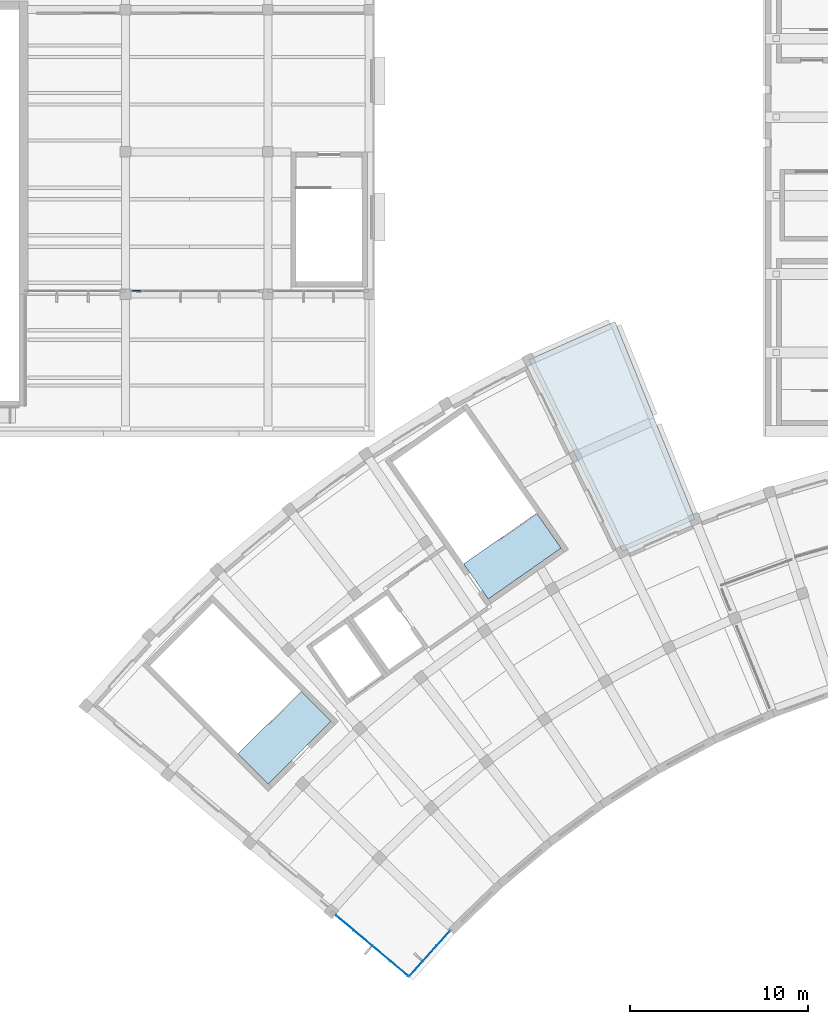
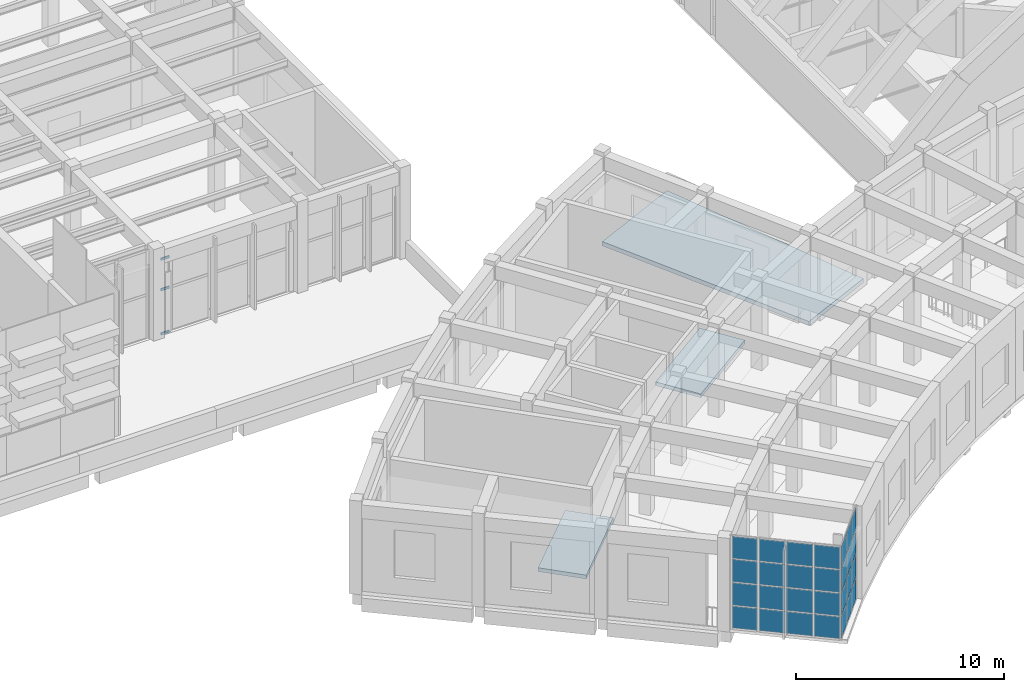
# One storey, part 51 of 94: 28 plates, 3 members, 3 slabs, 3 elements without a shape of their own.
"""IFC4 building model written with IfcOpenShell, lengths in metres."""

from ifc_helpers import new_model, si_unit, direction, frame, origin, origin_2d, place, context, subcontext, project, spatial, polyline, rectangle, outline, extrude, material, layer, layer_set, material_profile, profile_set, type_object, element, aggregate, save


model = new_model("IFC4")

# Units and contexts
model_context = context("Model", 3, precision=1e-05, world=origin(), true_north=direction((0.0, 1.0)))
body_context = subcontext(model_context, "Body", "Model", "MODEL_VIEW")
ifc_project = project(units=[si_unit("LENGTHUNIT", "METRE"), si_unit("AREAUNIT", "SQUARE_METRE"), si_unit("VOLUMEUNIT", "CUBIC_METRE"), si_unit("PLANEANGLEUNIT", "RADIAN"), si_unit("MASSUNIT", "GRAM", prefix="KILO")], contexts=[model_context])

# Site, building, storey
site_placement = place(None, origin())
site = spatial("IfcSite", under=ifc_project, at=site_placement, CompositionType="ELEMENT")
building_placement = place(site_placement, origin())
building = spatial("IfcBuilding", under=site, at=building_placement, Name="Lunette Opera House", CompositionType="ELEMENT")
storey_placement = place(building_placement, frame((0.0, 0.0, 22.5)))
storey = spatial("IfcBuildingStorey", under=building, at=storey_placement, Name="L04", CompositionType="ELEMENT", Elevation=22.5)

# Curtain wall, members
ifc_material_1 = material(Name="Aluminium", Category="aluminium")
ifc_layer_1 = layer(ifc_material_1, 0.179931640625)
ifc_layer_set_1 = layer_set([ifc_layer_1], Name="Aluminium")
curtain_wall_type_1 = type_object("IfcCurtainWallType", Name="SUN FACE CURTAIN WALL", PredefinedType="NOTDEFINED", material=ifc_layer_set_1)
curtain_wall_1_placement = place(storey_placement, origin())
curtain_wall_1 = element("IfcCurtainWall", 1, at=curtain_wall_1_placement, inside=storey, type_object=curtain_wall_type_1, Name="Sun Face Curtain Wall F01-2 L04", PredefinedType="NOTDEFINED")
ifc_material_2 = material(Name="Aluminium", Category="aluminium")
ifc_material_profile = material_profile(ifc_material_2, rectangle(XDim=0.06005859375, YDim=0.139892578125, at=origin_2d()), Name="TRANSOM 60 X 140")
ifc_profile_set = profile_set([ifc_material_profile], Name="Aluminium")
member_type = type_object("IfcMemberType", Name="TRANSOM 60 X 140", PredefinedType="USERDEFINED", material=ifc_profile_set)
member_1_placement = place(storey_placement, frame((40.389892578125, 72.18310546875, 0.030029296875), z_axis=(1.0, 0.0, 0.0), x_axis=(0.0, 1.0, 0.0)))
member_1 = element("IfcMember", 2, at=member_1_placement, type_object=member_type, Name="RW-X2058 transom 1.1", ObjectType="TRANSOM", PredefinedType="USERDEFINED", context=body_context, shape_type="SweptSolid", body=[
    extrude(rectangle(XDim=0.06005859375, YDim=0.139892578125, at=origin_2d()), origin(), (0.0, 0.0, 1.0), 0.460205078125),
])
member_2_placement = place(storey_placement, frame((40.389892578125, 72.18310546875, 2.625), z_axis=(1.0, 0.0, 0.0), x_axis=(0.0, 1.0, 0.0)))
member_2 = element("IfcMember", 3, at=member_2_placement, type_object=member_type, Name="RW-X2058 transom 1.2", ObjectType="TRANSOM", PredefinedType="USERDEFINED", context=body_context, shape_type="SweptSolid", body=[
    extrude(rectangle(XDim=0.06005859375, YDim=0.139892578125, at=origin_2d()), origin(), (0.0, 0.0, 1.0), 0.460205078125),
])
member_3_placement = place(storey_placement, frame((40.389892578125, 72.18310546875, 4.419921875), z_axis=(1.0, 0.0, 0.0), x_axis=(0.0, 1.0, 0.0)))
member_3 = element("IfcMember", 4, at=member_3_placement, type_object=member_type, Name="RW-X2058 transom 1.3", ObjectType="TRANSOM", PredefinedType="USERDEFINED", context=body_context, shape_type="SweptSolid", body=[
    extrude(rectangle(XDim=0.06005859375, YDim=0.139892578125, at=origin_2d()), origin(), (0.0, 0.0, 1.0), 0.460205078125),
])
aggregate(curtain_wall_1, [member_1, member_2, member_3])

# Slabs
ifc_material_3 = material(Name="Concrete C35/45", Category="concrete")
ifc_layer_2 = layer(ifc_material_3, 0.219970703125)
ifc_layer_set_2 = layer_set([ifc_layer_2], Name="Concrete C35/45")
slab_type_1 = type_object("IfcSlabType", Name="CORE LANDING SLAB 220", PredefinedType="LANDING", material=ifc_layer_set_2)
slab_1_placement = place(storey_placement, frame((0.0, 0.0, -0.219970703125)))
element("IfcSlab", 5, at=slab_1_placement, inside=storey, type_object=slab_type_1, Name="ST1 floor landing", PredefinedType="LANDING", context=body_context, shape_type="SweptSolid", body=[
    extrude(outline(polyline([(48.02294921875, 44.44091796875), (46.319091796875, 46.14501953125), (48.01611328125, 47.842041015625), (48.02294921875, 47.8349609375), (49.862060546875, 49.674072265625), (51.55908203125, 47.97705078125), (48.02294921875, 44.44091796875)])), origin(), (0.0, 0.0, 1.0), 0.219970703125),
])
slab_2_placement = place(storey_placement, frame((0.0, 0.0, -0.219970703125)))
element("IfcSlab", 6, at=slab_2_placement, inside=storey, type_object=slab_type_1, Name="ST2 floor landing", PredefinedType="LANDING", context=body_context, shape_type="SweptSolid", body=[
    extrude(outline(polyline([(60.39990234375, 54.85107421875), (59.01806640625, 56.824951171875), (60.98388671875, 58.200927734375), (60.989990234375, 58.193115234375), (63.1201171875, 59.68505859375), (64.4970703125, 57.718994140625), (60.39990234375, 54.85107421875)])), origin(), (0.0, 0.0, 1.0), 0.219970703125),
])

# Curtain wall, plates
ifc_material_4 = material(Name="Aluminium", Category="aluminium")
ifc_layer_3 = layer(ifc_material_4, 0.159912109375)
ifc_layer_set_3 = layer_set([ifc_layer_3], Name="Aluminium")
curtain_wall_type_2 = type_object("IfcCurtainWallType", Name="CORNER CURTAIN WALL", PredefinedType="NOTDEFINED", material=ifc_layer_set_3)
curtain_wall_2_placement = place(storey_placement, origin())
curtain_wall_2 = element("IfcCurtainWall", 7, at=curtain_wall_2_placement, inside=storey, type_object=curtain_wall_type_2, Name="Corner Curtain Wall GC-W1 L04", PredefinedType="NOTDEFINED")
ifc_material_5 = material(Name="Laminated glass", Category="glass")
ifc_layer_4 = layer(ifc_material_5, 0.028076171875)
ifc_layer_set_4 = layer_set([ifc_layer_4], Name="Laminated glass")
plate_type = type_object("IfcPlateType", Name="CURTAIN PANEL LAMINATED GLASS 28", PredefinedType="CURTAIN_PANEL", material=ifc_layer_set_4)
plate_1_placement = place(storey_placement, frame((57.874267578125, 35.777587890625, 0.06005859375), z_axis=(0.0, 0.0, 1.0), x_axis=(-0.667938143615, -0.744216793887, 0.0)))
plate_1 = element("IfcPlate", 8, at=plate_1_placement, type_object=plate_type, Name="FC-X2169 panel 1.1", PredefinedType="CURTAIN_PANEL", context=body_context, shape_type="SweptSolid", body=[
    extrude(rectangle(XDim=1.07666015625, YDim=0.028076171875, at=origin_2d()), origin(), (0.0, 0.0, 1.0), 1.284912109375),
])
plate_2_placement = place(storey_placement, frame((57.874267578125, 35.777587890625, 1.405029296875), z_axis=(0.0, 0.0, 1.0), x_axis=(-0.667938143615, -0.744216793887, 0.0)))
plate_2 = element("IfcPlate", 9, at=plate_2_placement, type_object=plate_type, Name="FC-X2169 panel 1.2", PredefinedType="CURTAIN_PANEL", context=body_context, shape_type="SweptSolid", body=[
    extrude(rectangle(XDim=1.07666015625, YDim=0.028076171875, at=origin_2d()), origin(), (0.0, 0.0, 1.0), 1.31494140625),
])
plate_3_placement = place(storey_placement, frame((57.874267578125, 35.777587890625, 2.780029296875), z_axis=(0.0, 0.0, 1.0), x_axis=(-0.667938143615, -0.744216793887, 0.0)))
plate_3 = element("IfcPlate", 10, at=plate_3_placement, type_object=plate_type, Name="FC-X2169 panel 1.3", PredefinedType="CURTAIN_PANEL", context=body_context, shape_type="SweptSolid", body=[
    extrude(rectangle(XDim=1.07666015625, YDim=0.028076171875, at=origin_2d()), origin(), (0.0, 0.0, 1.0), 1.31494140625),
])
plate_4_placement = place(storey_placement, frame((57.874267578125, 35.777587890625, 4.1552734375), z_axis=(0.0, 0.0, 1.0), x_axis=(-0.667938143615, -0.744216793887, 0.0)))
plate_4 = element("IfcPlate", 11, at=plate_4_placement, type_object=plate_type, Name="FC-X2169 panel 1.4", PredefinedType="CURTAIN_PANEL", context=body_context, shape_type="SweptSolid", body=[
    extrude(rectangle(XDim=1.07666015625, YDim=0.028076171875, at=origin_2d()), origin(), (0.0, 0.0, 1.0), 1.284912109375),
])
plate_5_placement = place(storey_placement, frame((57.10498046875, 34.92041015625, 0.06005859375), z_axis=(0.0, 0.0, 1.0), x_axis=(-0.667938143615, -0.744216793887, 0.0)))
plate_5 = element("IfcPlate", 12, at=plate_5_placement, type_object=plate_type, Name="FC-X2169 panel 2.1", PredefinedType="CURTAIN_PANEL", context=body_context, shape_type="SweptSolid", body=[
    extrude(rectangle(XDim=1.106689453125, YDim=0.028076171875, at=origin_2d()), origin(), (0.0, 0.0, 1.0), 1.284912109375),
])
plate_6_placement = place(storey_placement, frame((57.10498046875, 34.92041015625, 1.405029296875), z_axis=(0.0, 0.0, 1.0), x_axis=(-0.667938143615, -0.744216793887, 0.0)))
plate_6 = element("IfcPlate", 13, at=plate_6_placement, type_object=plate_type, Name="FC-X2169 panel 2.2", PredefinedType="CURTAIN_PANEL", context=body_context, shape_type="SweptSolid", body=[
    extrude(rectangle(XDim=1.106689453125, YDim=0.028076171875, at=origin_2d()), origin(), (0.0, 0.0, 1.0), 1.31494140625),
])
plate_7_placement = place(storey_placement, frame((57.10498046875, 34.92041015625, 2.780029296875), z_axis=(0.0, 0.0, 1.0), x_axis=(-0.667938143615, -0.744216793887, 0.0)))
plate_7 = element("IfcPlate", 14, at=plate_7_placement, type_object=plate_type, Name="FC-X2169 panel 2.3", PredefinedType="CURTAIN_PANEL", context=body_context, shape_type="SweptSolid", body=[
    extrude(rectangle(XDim=1.106689453125, YDim=0.028076171875, at=origin_2d()), origin(), (0.0, 0.0, 1.0), 1.31494140625),
])
plate_8_placement = place(storey_placement, frame((57.10498046875, 34.92041015625, 4.1552734375), z_axis=(0.0, 0.0, 1.0), x_axis=(-0.667938143615, -0.744216793887, 0.0)))
plate_8 = element("IfcPlate", 15, at=plate_8_placement, type_object=plate_type, Name="FC-X2169 panel 2.4", PredefinedType="CURTAIN_PANEL", context=body_context, shape_type="SweptSolid", body=[
    extrude(rectangle(XDim=1.106689453125, YDim=0.028076171875, at=origin_2d()), origin(), (0.0, 0.0, 1.0), 1.284912109375),
])
plate_9_placement = place(storey_placement, frame((56.335693359375, 34.063232421875, 0.06005859375), z_axis=(0.0, 0.0, 1.0), x_axis=(-0.667938143615, -0.744216793887, 0.0)))
plate_9 = element("IfcPlate", 16, at=plate_9_placement, type_object=plate_type, Name="FC-X2169 panel 3.1", PredefinedType="CURTAIN_PANEL", context=body_context, shape_type="SweptSolid", body=[
    extrude(rectangle(XDim=1.07666015625, YDim=0.028076171875, at=origin_2d()), origin(), (0.0, 0.0, 1.0), 1.284912109375),
])
plate_10_placement = place(storey_placement, frame((56.335693359375, 34.063232421875, 1.405029296875), z_axis=(0.0, 0.0, 1.0), x_axis=(-0.667938143615, -0.744216793887, 0.0)))
plate_10 = element("IfcPlate", 17, at=plate_10_placement, type_object=plate_type, Name="FC-X2169 panel 3.2", PredefinedType="CURTAIN_PANEL", context=body_context, shape_type="SweptSolid", body=[
    extrude(rectangle(XDim=1.07666015625, YDim=0.028076171875, at=origin_2d()), origin(), (0.0, 0.0, 1.0), 1.31494140625),
])
plate_11_placement = place(storey_placement, frame((56.335693359375, 34.063232421875, 2.780029296875), z_axis=(0.0, 0.0, 1.0), x_axis=(-0.667938143615, -0.744216793887, 0.0)))
plate_11 = element("IfcPlate", 18, at=plate_11_placement, type_object=plate_type, Name="FC-X2169 panel 3.3", PredefinedType="CURTAIN_PANEL", context=body_context, shape_type="SweptSolid", body=[
    extrude(rectangle(XDim=1.07666015625, YDim=0.028076171875, at=origin_2d()), origin(), (0.0, 0.0, 1.0), 1.31494140625),
])
plate_12_placement = place(storey_placement, frame((56.335693359375, 34.063232421875, 4.1552734375), z_axis=(0.0, 0.0, 1.0), x_axis=(-0.667938143615, -0.744216793887, 0.0)))
plate_12 = element("IfcPlate", 19, at=plate_12_placement, type_object=plate_type, Name="FC-X2169 panel 3.4", PredefinedType="CURTAIN_PANEL", context=body_context, shape_type="SweptSolid", body=[
    extrude(rectangle(XDim=1.07666015625, YDim=0.028076171875, at=origin_2d()), origin(), (0.0, 0.0, 1.0), 1.284912109375),
])
aggregate(curtain_wall_2, [plate_1, plate_2, plate_3, plate_4, plate_5, plate_6, plate_7, plate_8, plate_9, plate_10, plate_11, plate_12])

curtain_wall_3_placement = place(storey_placement, origin())
curtain_wall_3 = element("IfcCurtainWall", 20, at=curtain_wall_3_placement, inside=storey, type_object=curtain_wall_type_2, Name="Corner Curtain Wall GC-W2 L04", PredefinedType="NOTDEFINED")
plate_13_placement = place(storey_placement, frame((55.407470703125, 34.0615234375, 0.06005859375), z_axis=(0.0, 0.0, 1.0), x_axis=(-0.766000309852, 0.642840201999, 0.0)))
plate_13 = element("IfcPlate", 21, at=plate_13_placement, type_object=plate_type, Name="FC-X2170 panel 1.1", PredefinedType="CURTAIN_PANEL", context=body_context, shape_type="SweptSolid", body=[
    extrude(rectangle(XDim=1.259765625, YDim=0.028076171875, at=origin_2d()), origin(), (0.0, 0.0, 1.0), 1.284912109375),
])
plate_14_placement = place(storey_placement, frame((55.407470703125, 34.0615234375, 1.405029296875), z_axis=(0.0, 0.0, 1.0), x_axis=(-0.766000309852, 0.642840201999, 0.0)))
plate_14 = element("IfcPlate", 22, at=plate_14_placement, type_object=plate_type, Name="FC-X2170 panel 1.2", PredefinedType="CURTAIN_PANEL", context=body_context, shape_type="SweptSolid", body=[
    extrude(rectangle(XDim=1.259765625, YDim=0.028076171875, at=origin_2d()), origin(), (0.0, 0.0, 1.0), 1.31494140625),
])
plate_15_placement = place(storey_placement, frame((55.407470703125, 34.0615234375, 2.780029296875), z_axis=(0.0, 0.0, 1.0), x_axis=(-0.766000309852, 0.642840201999, 0.0)))
plate_15 = element("IfcPlate", 23, at=plate_15_placement, type_object=plate_type, Name="FC-X2170 panel 1.3", PredefinedType="CURTAIN_PANEL", context=body_context, shape_type="SweptSolid", body=[
    extrude(rectangle(XDim=1.259765625, YDim=0.028076171875, at=origin_2d()), origin(), (0.0, 0.0, 1.0), 1.31494140625),
])
plate_16_placement = place(storey_placement, frame((55.407470703125, 34.0615234375, 4.1552734375), z_axis=(0.0, 0.0, 1.0), x_axis=(-0.766000309852, 0.642840201999, 0.0)))
plate_16 = element("IfcPlate", 24, at=plate_16_placement, type_object=plate_type, Name="FC-X2170 panel 1.4", PredefinedType="CURTAIN_PANEL", context=body_context, shape_type="SweptSolid", body=[
    extrude(rectangle(XDim=1.259765625, YDim=0.028076171875, at=origin_2d()), origin(), (0.0, 0.0, 1.0), 1.284912109375),
])
plate_17_placement = place(storey_placement, frame((54.385009765625, 34.919677734375, 0.06005859375), z_axis=(0.0, 0.0, 1.0), x_axis=(-0.766000309852, 0.642840201999, 0.0)))
plate_17 = element("IfcPlate", 25, at=plate_17_placement, type_object=plate_type, Name="FC-X2170 panel 2.1", PredefinedType="CURTAIN_PANEL", context=body_context, shape_type="SweptSolid", body=[
    extrude(rectangle(XDim=1.289794921875, YDim=0.028076171875, at=origin_2d()), origin(), (0.0, 0.0, 1.0), 1.284912109375),
])
plate_18_placement = place(storey_placement, frame((54.385009765625, 34.919677734375, 1.405029296875), z_axis=(0.0, 0.0, 1.0), x_axis=(-0.766000309852, 0.642840201999, 0.0)))
plate_18 = element("IfcPlate", 26, at=plate_18_placement, type_object=plate_type, Name="FC-X2170 panel 2.2", PredefinedType="CURTAIN_PANEL", context=body_context, shape_type="SweptSolid", body=[
    extrude(rectangle(XDim=1.289794921875, YDim=0.028076171875, at=origin_2d()), origin(), (0.0, 0.0, 1.0), 1.31494140625),
])
plate_19_placement = place(storey_placement, frame((54.385009765625, 34.919677734375, 2.780029296875), z_axis=(0.0, 0.0, 1.0), x_axis=(-0.766000309852, 0.642840201999, 0.0)))
plate_19 = element("IfcPlate", 27, at=plate_19_placement, type_object=plate_type, Name="FC-X2170 panel 2.3", PredefinedType="CURTAIN_PANEL", context=body_context, shape_type="SweptSolid", body=[
    extrude(rectangle(XDim=1.289794921875, YDim=0.028076171875, at=origin_2d()), origin(), (0.0, 0.0, 1.0), 1.31494140625),
])
plate_20_placement = place(storey_placement, frame((54.385009765625, 34.919677734375, 4.1552734375), z_axis=(0.0, 0.0, 1.0), x_axis=(-0.766000309852, 0.642840201999, 0.0)))
plate_20 = element("IfcPlate", 28, at=plate_20_placement, type_object=plate_type, Name="FC-X2170 panel 2.4", PredefinedType="CURTAIN_PANEL", context=body_context, shape_type="SweptSolid", body=[
    extrude(rectangle(XDim=1.289794921875, YDim=0.028076171875, at=origin_2d()), origin(), (0.0, 0.0, 1.0), 1.284912109375),
])
plate_21_placement = place(storey_placement, frame((53.35107421875, 35.787353515625, 0.06005859375), z_axis=(0.0, 0.0, 1.0), x_axis=(-0.766000309852, 0.642840201999, 0.0)))
plate_21 = element("IfcPlate", 29, at=plate_21_placement, type_object=plate_type, Name="FC-X2170 panel 3.1", PredefinedType="CURTAIN_PANEL", context=body_context, shape_type="SweptSolid", body=[
    extrude(rectangle(XDim=1.289794921875, YDim=0.028076171875, at=origin_2d()), origin(), (0.0, 0.0, 1.0), 1.284912109375),
])
plate_22_placement = place(storey_placement, frame((53.35107421875, 35.787353515625, 1.405029296875), z_axis=(0.0, 0.0, 1.0), x_axis=(-0.766000309852, 0.642840201999, 0.0)))
plate_22 = element("IfcPlate", 30, at=plate_22_placement, type_object=plate_type, Name="FC-X2170 panel 3.2", PredefinedType="CURTAIN_PANEL", context=body_context, shape_type="SweptSolid", body=[
    extrude(rectangle(XDim=1.289794921875, YDim=0.028076171875, at=origin_2d()), origin(), (0.0, 0.0, 1.0), 1.31494140625),
])
plate_23_placement = place(storey_placement, frame((53.35107421875, 35.787353515625, 2.780029296875), z_axis=(0.0, 0.0, 1.0), x_axis=(-0.766000309852, 0.642840201999, 0.0)))
plate_23 = element("IfcPlate", 31, at=plate_23_placement, type_object=plate_type, Name="FC-X2170 panel 3.3", PredefinedType="CURTAIN_PANEL", context=body_context, shape_type="SweptSolid", body=[
    extrude(rectangle(XDim=1.289794921875, YDim=0.028076171875, at=origin_2d()), origin(), (0.0, 0.0, 1.0), 1.31494140625),
])
plate_24_placement = place(storey_placement, frame((53.35107421875, 35.787353515625, 4.1552734375), z_axis=(0.0, 0.0, 1.0), x_axis=(-0.766000309852, 0.642840201999, 0.0)))
plate_24 = element("IfcPlate", 32, at=plate_24_placement, type_object=plate_type, Name="FC-X2170 panel 3.4", PredefinedType="CURTAIN_PANEL", context=body_context, shape_type="SweptSolid", body=[
    extrude(rectangle(XDim=1.289794921875, YDim=0.028076171875, at=origin_2d()), origin(), (0.0, 0.0, 1.0), 1.284912109375),
])
plate_25_placement = place(storey_placement, frame((52.328369140625, 36.6455078125, 0.06005859375), z_axis=(0.0, 0.0, 1.0), x_axis=(-0.766000309852, 0.642840201999, 0.0)))
plate_25 = element("IfcPlate", 33, at=plate_25_placement, type_object=plate_type, Name="FC-X2170 panel 4.1", PredefinedType="CURTAIN_PANEL", context=body_context, shape_type="SweptSolid", body=[
    extrude(rectangle(XDim=1.259765625, YDim=0.028076171875, at=origin_2d()), origin(), (0.0, 0.0, 1.0), 1.284912109375),
])
plate_26_placement = place(storey_placement, frame((52.328369140625, 36.6455078125, 1.405029296875), z_axis=(0.0, 0.0, 1.0), x_axis=(-0.766000309852, 0.642840201999, 0.0)))
plate_26 = element("IfcPlate", 34, at=plate_26_placement, type_object=plate_type, Name="FC-X2170 panel 4.2", PredefinedType="CURTAIN_PANEL", context=body_context, shape_type="SweptSolid", body=[
    extrude(rectangle(XDim=1.259765625, YDim=0.028076171875, at=origin_2d()), origin(), (0.0, 0.0, 1.0), 1.31494140625),
])
plate_27_placement = place(storey_placement, frame((52.328369140625, 36.6455078125, 2.780029296875), z_axis=(0.0, 0.0, 1.0), x_axis=(-0.766000309852, 0.642840201999, 0.0)))
plate_27 = element("IfcPlate", 35, at=plate_27_placement, type_object=plate_type, Name="FC-X2170 panel 4.3", PredefinedType="CURTAIN_PANEL", context=body_context, shape_type="SweptSolid", body=[
    extrude(rectangle(XDim=1.259765625, YDim=0.028076171875, at=origin_2d()), origin(), (0.0, 0.0, 1.0), 1.31494140625),
])
plate_28_placement = place(storey_placement, frame((52.328369140625, 36.6455078125, 4.1552734375), z_axis=(0.0, 0.0, 1.0), x_axis=(-0.766000309852, 0.642840201999, 0.0)))
plate_28 = element("IfcPlate", 36, at=plate_28_placement, type_object=plate_type, Name="FC-X2170 panel 4.4", PredefinedType="CURTAIN_PANEL", context=body_context, shape_type="SweptSolid", body=[
    extrude(rectangle(XDim=1.259765625, YDim=0.028076171875, at=origin_2d()), origin(), (0.0, 0.0, 1.0), 1.284912109375),
])
aggregate(curtain_wall_3, [plate_13, plate_14, plate_15, plate_16, plate_17, plate_18, plate_19, plate_20, plate_21, plate_22, plate_23, plate_24, plate_25, plate_26, plate_27, plate_28])

# Slab
ifc_material_6 = material(Name="Concrete C35/45", Category="concrete")
ifc_layer_5 = layer(ifc_material_6, 0.25)
ifc_layer_set_5 = layer_set([ifc_layer_5], Name="Concrete C35/45")
slab_type_2 = type_object("IfcSlabType", Name="ROOF SLAB 250", PredefinedType="ROOF", material=ifc_layer_set_5)
slab_3_placement = place(storey_placement, frame((0.0, 0.0, -0.25)))
element("IfcSlab", 37, at=slab_3_placement, inside=storey, type_object=slab_type_2, Name="slab-FC-L03-R1", PredefinedType="ROOF", context=body_context, shape_type="SweptSolid", body=[
    extrude(outline(polyline([(67.530029296875, 70.466064453125), (62.68408203125, 68.30810546875), (67.944091796875, 57.52294921875), (72.02490234375, 59.340087890625), (67.530029296875, 70.466064453125)])), origin(), (0.0, 0.0, 1.0), 0.25),
])

save(model, "model.ifc")
